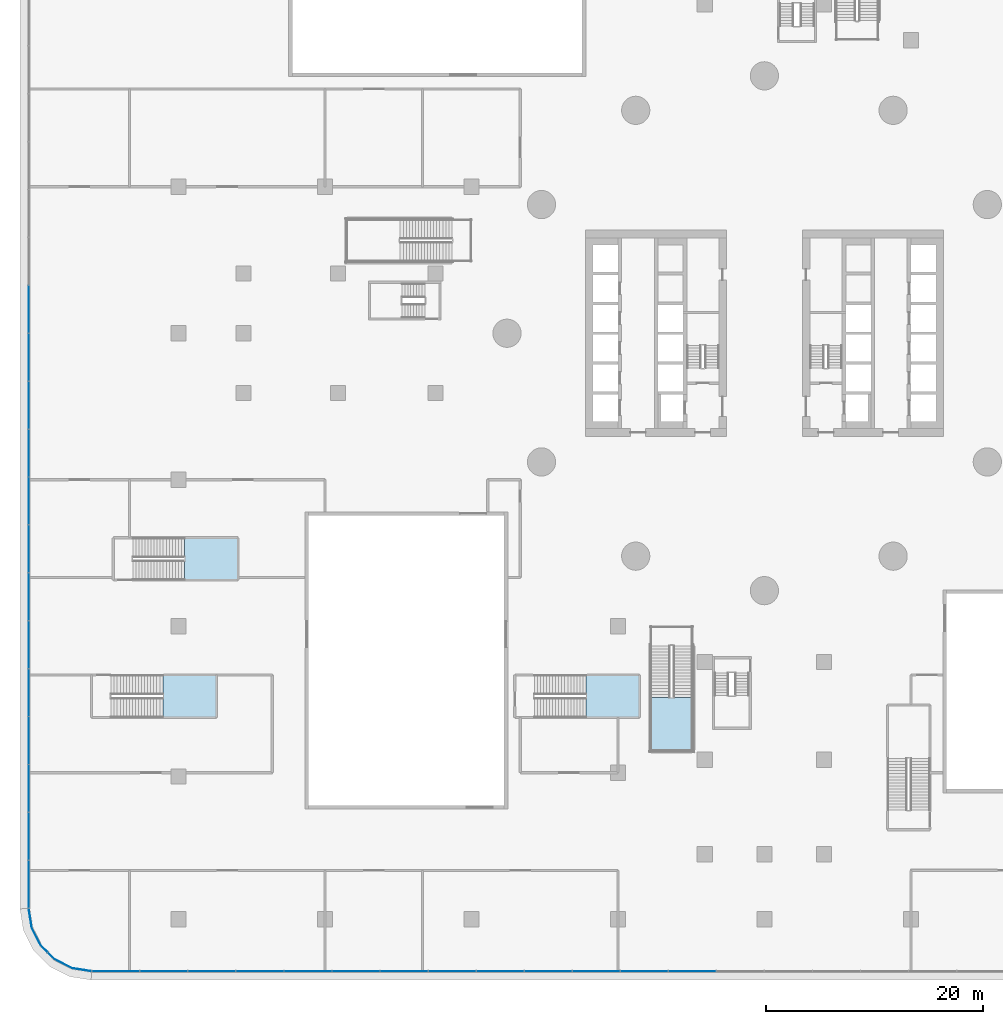
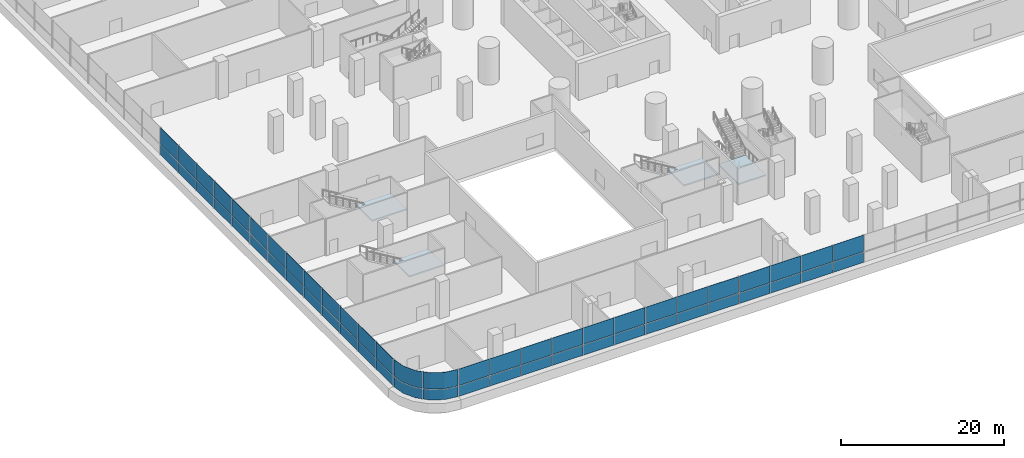
# One storey, part 23 of 52: 56 plates, 4 slabs, 7 elements without a shape of their own.
"""IFC4 building model written with IfcOpenShell, lengths in metres."""

from ifc_helpers import new_model, si_unit, direction, frame, origin, place, context, subcontext, project, spatial, polyline, outline, extrude, material, layer, layer_set, type_object, element, aggregate, save


model = new_model("IFC4")

# Units and contexts
model_context = context("Model", 3, precision=1e-05, world=origin(), true_north=direction((0.0, 1.0)))
body_context = subcontext(model_context, "Body", "Model", "MODEL_VIEW")
ifc_project = project(units=[si_unit("LENGTHUNIT", "METRE"), si_unit("AREAUNIT", "SQUARE_METRE"), si_unit("VOLUMEUNIT", "CUBIC_METRE"), si_unit("PLANEANGLEUNIT", "RADIAN"), si_unit("MASSUNIT", "GRAM", prefix="KILO")], contexts=[model_context])

# Site, building, storey
site_placement = place(None, origin())
site = spatial("IfcSite", under=ifc_project, at=site_placement, CompositionType="ELEMENT")
building_placement = place(site_placement, origin())
building = spatial("IfcBuilding", under=site, at=building_placement, Name="Tamarind Cross Interchange Tower", CompositionType="ELEMENT")
storey_placement = place(building_placement, frame((0.0, 0.0, 9.0)))
storey = spatial("IfcBuildingStorey", under=building, at=storey_placement, Name="L01", CompositionType="ELEMENT", Elevation=9.0)

# Stair, slab
ifc_material_1 = material(Name="Public stair")
stair_type = type_object("IfcStairType", Name="Public stair", PredefinedType="HALF_TURN_STAIR", material=ifc_material_1)
stair_1_placement = place(storey_placement, origin())
stair_1 = element("IfcStair", 1, at=stair_1_placement, inside=storey, type_object=stair_type, Name="L01 public stair PS-S", PredefinedType="HALF_TURN_STAIR")
ifc_material_2 = material(Name="Concrete C40", Category="concrete")
ifc_layer_1 = layer(ifc_material_2, 0.199951171875)
ifc_layer_set_1 = layer_set([ifc_layer_1], Name="Concrete C40")
slab_type = type_object("IfcSlabType", Name="Public stair landing", PredefinedType="LANDING", material=ifc_layer_set_1)
slab_1_placement = place(storey_placement, frame((0.0, 0.0, 2.800048828125)))
slab_1 = element("IfcSlab", 2, at=slab_1_placement, type_object=slab_type, Name="PS-S landing 1", PredefinedType="LANDING", context=body_context, shape_type="SweptSolid", body=[
    extrude(outline(polyline([(-10.5, -33.56005859375), (-10.5, -38.5), (-6.60009765625, -38.5), (-6.60009765625, -33.56005859375), (-10.5, -33.56005859375)])), origin(), (0.0, 0.0, 1.0), 0.199951171875),
])
aggregate(stair_1, [slab_1])

stair_2_placement = place(storey_placement, origin())
stair_2 = element("IfcStair", 3, at=stair_2_placement, inside=storey, type_object=stair_type, Name="L01 exit stair XS-P07", PredefinedType="HALF_TURN_STAIR")
slab_2_placement = place(storey_placement, frame((0.0, 0.0, 2.800048828125)))
slab_2 = element("IfcSlab", 4, at=slab_2_placement, type_object=slab_type, Name="XS-P07 landing 1", PredefinedType="LANDING", context=body_context, shape_type="SweptSolid", body=[
    extrude(outline(polyline([(-55.43994140625, -35.39990234375), (-50.5, -35.39990234375), (-50.5, -31.5), (-55.43994140625, -31.5), (-55.43994140625, -35.39990234375)])), origin(), (0.0, 0.0, 1.0), 0.199951171875),
])
aggregate(stair_2, [slab_2])

stair_3_placement = place(storey_placement, origin())
stair_3 = element("IfcStair", 5, at=stair_3_placement, inside=storey, type_object=stair_type, Name="L01 exit stair XS-P08", PredefinedType="HALF_TURN_STAIR")
slab_3_placement = place(storey_placement, frame((0.0, 0.0, 2.800048828125)))
slab_3 = element("IfcSlab", 6, at=slab_3_placement, type_object=slab_type, Name="XS-P08 landing 1", PredefinedType="LANDING", context=body_context, shape_type="SweptSolid", body=[
    extrude(outline(polyline([(-53.43994140625, -22.75), (-48.5, -22.75), (-48.5, -18.85009765625), (-53.43994140625, -18.85009765625), (-53.43994140625, -22.75)])), origin(), (0.0, 0.0, 1.0), 0.199951171875),
])
aggregate(stair_3, [slab_3])

stair_4_placement = place(storey_placement, origin())
stair_4 = element("IfcStair", 7, at=stair_4_placement, inside=storey, type_object=stair_type, Name="L01 exit stair XS-P09", PredefinedType="HALF_TURN_STAIR")
slab_4_placement = place(storey_placement, frame((0.0, 0.0, 2.800048828125)))
slab_4 = element("IfcSlab", 8, at=slab_4_placement, type_object=slab_type, Name="XS-P09 landing 1", PredefinedType="LANDING", context=body_context, shape_type="SweptSolid", body=[
    extrude(outline(polyline([(-16.43994140625, -35.39990234375), (-11.5, -35.39990234375), (-11.5, -31.5), (-16.43994140625, -31.5), (-16.43994140625, -35.39990234375)])), origin(), (0.0, 0.0, 1.0), 0.199951171875),
])
aggregate(stair_4, [slab_4])

# Curtain wall, plates
ifc_material_3 = material(Name="Aluminium 6063-T6", Category="aluminium")
ifc_layer_2 = layer(ifc_material_3, 0.199951171875)
ifc_layer_set_2 = layer_set([ifc_layer_2], Name="Aluminium 6063-T6")
curtain_wall_type = type_object("IfcCurtainWallType", Name="Podium shopfront and station curtain wall", PredefinedType="NOTDEFINED", material=ifc_layer_set_2)
curtain_wall_1_placement = place(storey_placement, origin())
curtain_wall_1 = element("IfcCurtainWall", 9, at=curtain_wall_1_placement, inside=storey, type_object=curtain_wall_type, Name="CWS-L01-04", PredefinedType="NOTDEFINED")
ifc_material_4 = material(Name="Toughened low-e glass 10+12+10", Category="glass")
ifc_layer_3 = layer(ifc_material_4, 0.031982421875)
ifc_layer_set_3 = layer_set([ifc_layer_3], Name="Toughened low-e glass 10+12+10")
plate_type = type_object("IfcPlateType", Name="Vision panel CW3", PredefinedType="CURTAIN_PANEL", material=ifc_layer_set_3)
plate_1_placement = place(storey_placement, frame((0.0, 0.0, 1.39990234375)))
plate_1 = element("IfcPlate", 10, at=plate_1_placement, type_object=plate_type, Name="CWP-L01-04-11-0", PredefinedType="CURTAIN_PANEL", context=body_context, shape_type="SweptSolid", body=[
    extrude(outline(polyline([(-67.783935546875, 4.375244140625), (-67.783935546875, 0.0400390625), (-67.81591796875, 0.0400390625), (-67.81591796875, 4.375244140625), (-67.783935546875, 4.375244140625)])), origin(), (0.0, 0.0, 1.0), 1.570068359375),
])
plate_2_placement = place(storey_placement, frame((0.0, 0.0, 3.030029296875)))
plate_2 = element("IfcPlate", 11, at=plate_2_placement, type_object=plate_type, Name="CWP-L01-04-11-1", PredefinedType="CURTAIN_PANEL", context=body_context, shape_type="SweptSolid", body=[
    extrude(outline(polyline([(-67.783935546875, 4.375244140625), (-67.783935546875, 0.0400390625), (-67.81591796875, 0.0400390625), (-67.81591796875, 4.375244140625), (-67.783935546875, 4.375244140625)])), origin(), (0.0, 0.0, 1.0), 2.469970703125),
])
plate_3_placement = place(storey_placement, frame((0.0, 0.0, 1.39990234375)))
plate_3 = element("IfcPlate", 12, at=plate_3_placement, type_object=plate_type, Name="CWP-L01-04-12-0", PredefinedType="CURTAIN_PANEL", context=body_context, shape_type="SweptSolid", body=[
    extrude(outline(polyline([(-67.783935546875, -0.0400390625), (-67.783935546875, -4.375244140625), (-67.81591796875, -4.375244140625), (-67.81591796875, -0.0400390625), (-67.783935546875, -0.0400390625)])), origin(), (0.0, 0.0, 1.0), 1.570068359375),
])
plate_4_placement = place(storey_placement, frame((0.0, 0.0, 3.030029296875)))
plate_4 = element("IfcPlate", 13, at=plate_4_placement, type_object=plate_type, Name="CWP-L01-04-12-1", PredefinedType="CURTAIN_PANEL", context=body_context, shape_type="SweptSolid", body=[
    extrude(outline(polyline([(-67.783935546875, -0.0400390625), (-67.783935546875, -4.375244140625), (-67.81591796875, -4.375244140625), (-67.81591796875, -0.0400390625), (-67.783935546875, -0.0400390625)])), origin(), (0.0, 0.0, 1.0), 2.469970703125),
])
plate_5_placement = place(storey_placement, frame((0.0, 0.0, 1.39990234375)))
plate_5 = element("IfcPlate", 14, at=plate_5_placement, type_object=plate_type, Name="CWP-L01-04-13-0", PredefinedType="CURTAIN_PANEL", context=body_context, shape_type="SweptSolid", body=[
    extrude(outline(polyline([(-67.783935546875, -4.455322265625), (-67.783935546875, -8.790771484375), (-67.81591796875, -8.790771484375), (-67.81591796875, -4.455322265625), (-67.783935546875, -4.455322265625)])), origin(), (0.0, 0.0, 1.0), 1.570068359375),
])
plate_6_placement = place(storey_placement, frame((0.0, 0.0, 3.030029296875)))
plate_6 = element("IfcPlate", 15, at=plate_6_placement, type_object=plate_type, Name="CWP-L01-04-13-1", PredefinedType="CURTAIN_PANEL", context=body_context, shape_type="SweptSolid", body=[
    extrude(outline(polyline([(-67.783935546875, -4.455322265625), (-67.783935546875, -8.790771484375), (-67.81591796875, -8.790771484375), (-67.81591796875, -4.455322265625), (-67.783935546875, -4.455322265625)])), origin(), (0.0, 0.0, 1.0), 2.469970703125),
])
plate_7_placement = place(storey_placement, frame((0.0, 0.0, 1.39990234375)))
plate_7 = element("IfcPlate", 16, at=plate_7_placement, type_object=plate_type, Name="CWP-L01-04-14-0", PredefinedType="CURTAIN_PANEL", context=body_context, shape_type="SweptSolid", body=[
    extrude(outline(polyline([(-67.783935546875, -8.87060546875), (-67.783935546875, -13.2060546875), (-67.81591796875, -13.2060546875), (-67.81591796875, -8.87060546875), (-67.783935546875, -8.87060546875)])), origin(), (0.0, 0.0, 1.0), 1.570068359375),
])
plate_8_placement = place(storey_placement, frame((0.0, 0.0, 3.030029296875)))
plate_8 = element("IfcPlate", 17, at=plate_8_placement, type_object=plate_type, Name="CWP-L01-04-14-1", PredefinedType="CURTAIN_PANEL", context=body_context, shape_type="SweptSolid", body=[
    extrude(outline(polyline([(-67.783935546875, -8.87060546875), (-67.783935546875, -13.2060546875), (-67.81591796875, -13.2060546875), (-67.81591796875, -8.87060546875), (-67.783935546875, -8.87060546875)])), origin(), (0.0, 0.0, 1.0), 2.469970703125),
])
plate_9_placement = place(storey_placement, frame((0.0, 0.0, 1.39990234375)))
plate_9 = element("IfcPlate", 18, at=plate_9_placement, type_object=plate_type, Name="CWP-L01-04-15-0", PredefinedType="CURTAIN_PANEL", context=body_context, shape_type="SweptSolid", body=[
    extrude(outline(polyline([(-67.783935546875, -13.2861328125), (-67.783935546875, -17.621337890625), (-67.81591796875, -17.621337890625), (-67.81591796875, -13.2861328125), (-67.783935546875, -13.2861328125)])), origin(), (0.0, 0.0, 1.0), 1.570068359375),
])
plate_10_placement = place(storey_placement, frame((0.0, 0.0, 3.030029296875)))
plate_10 = element("IfcPlate", 19, at=plate_10_placement, type_object=plate_type, Name="CWP-L01-04-15-1", PredefinedType="CURTAIN_PANEL", context=body_context, shape_type="SweptSolid", body=[
    extrude(outline(polyline([(-67.783935546875, -13.2861328125), (-67.783935546875, -17.621337890625), (-67.81591796875, -17.621337890625), (-67.81591796875, -13.2861328125), (-67.783935546875, -13.2861328125)])), origin(), (0.0, 0.0, 1.0), 2.469970703125),
])
plate_11_placement = place(storey_placement, frame((0.0, 0.0, 1.39990234375)))
plate_11 = element("IfcPlate", 20, at=plate_11_placement, type_object=plate_type, Name="CWP-L01-04-16-0", PredefinedType="CURTAIN_PANEL", context=body_context, shape_type="SweptSolid", body=[
    extrude(outline(polyline([(-67.783935546875, -17.701416015625), (-67.783935546875, -22.036865234375), (-67.81591796875, -22.036865234375), (-67.81591796875, -17.701416015625), (-67.783935546875, -17.701416015625)])), origin(), (0.0, 0.0, 1.0), 1.570068359375),
])
plate_12_placement = place(storey_placement, frame((0.0, 0.0, 3.030029296875)))
plate_12 = element("IfcPlate", 21, at=plate_12_placement, type_object=plate_type, Name="CWP-L01-04-16-1", PredefinedType="CURTAIN_PANEL", context=body_context, shape_type="SweptSolid", body=[
    extrude(outline(polyline([(-67.783935546875, -17.701416015625), (-67.783935546875, -22.036865234375), (-67.81591796875, -22.036865234375), (-67.81591796875, -17.701416015625), (-67.783935546875, -17.701416015625)])), origin(), (0.0, 0.0, 1.0), 2.469970703125),
])
plate_13_placement = place(storey_placement, frame((0.0, 0.0, 1.39990234375)))
plate_13 = element("IfcPlate", 22, at=plate_13_placement, type_object=plate_type, Name="CWP-L01-04-17-0", PredefinedType="CURTAIN_PANEL", context=body_context, shape_type="SweptSolid", body=[
    extrude(outline(polyline([(-67.783935546875, -22.11669921875), (-67.783935546875, -26.4521484375), (-67.81591796875, -26.4521484375), (-67.81591796875, -22.11669921875), (-67.783935546875, -22.11669921875)])), origin(), (0.0, 0.0, 1.0), 1.570068359375),
])
plate_14_placement = place(storey_placement, frame((0.0, 0.0, 3.030029296875)))
plate_14 = element("IfcPlate", 23, at=plate_14_placement, type_object=plate_type, Name="CWP-L01-04-17-1", PredefinedType="CURTAIN_PANEL", context=body_context, shape_type="SweptSolid", body=[
    extrude(outline(polyline([(-67.783935546875, -22.11669921875), (-67.783935546875, -26.4521484375), (-67.81591796875, -26.4521484375), (-67.81591796875, -22.11669921875), (-67.783935546875, -22.11669921875)])), origin(), (0.0, 0.0, 1.0), 2.469970703125),
])
plate_15_placement = place(storey_placement, frame((0.0, 0.0, 1.39990234375)))
plate_15 = element("IfcPlate", 24, at=plate_15_placement, type_object=plate_type, Name="CWP-L01-04-18-0", PredefinedType="CURTAIN_PANEL", context=body_context, shape_type="SweptSolid", body=[
    extrude(outline(polyline([(-67.783935546875, -26.5322265625), (-67.783935546875, -30.867431640625), (-67.81591796875, -30.867431640625), (-67.81591796875, -26.5322265625), (-67.783935546875, -26.5322265625)])), origin(), (0.0, 0.0, 1.0), 1.570068359375),
])
plate_16_placement = place(storey_placement, frame((0.0, 0.0, 3.030029296875)))
plate_16 = element("IfcPlate", 25, at=plate_16_placement, type_object=plate_type, Name="CWP-L01-04-18-1", PredefinedType="CURTAIN_PANEL", context=body_context, shape_type="SweptSolid", body=[
    extrude(outline(polyline([(-67.783935546875, -26.5322265625), (-67.783935546875, -30.867431640625), (-67.81591796875, -30.867431640625), (-67.81591796875, -26.5322265625), (-67.783935546875, -26.5322265625)])), origin(), (0.0, 0.0, 1.0), 2.469970703125),
])
plate_17_placement = place(storey_placement, frame((0.0, 0.0, 1.39990234375)))
plate_17 = element("IfcPlate", 26, at=plate_17_placement, type_object=plate_type, Name="CWP-L01-04-19-0", PredefinedType="CURTAIN_PANEL", context=body_context, shape_type="SweptSolid", body=[
    extrude(outline(polyline([(-67.783935546875, -30.947509765625), (-67.783935546875, -35.282958984375), (-67.81591796875, -35.282958984375), (-67.81591796875, -30.947509765625), (-67.783935546875, -30.947509765625)])), origin(), (0.0, 0.0, 1.0), 1.570068359375),
])
plate_18_placement = place(storey_placement, frame((0.0, 0.0, 3.030029296875)))
plate_18 = element("IfcPlate", 27, at=plate_18_placement, type_object=plate_type, Name="CWP-L01-04-19-1", PredefinedType="CURTAIN_PANEL", context=body_context, shape_type="SweptSolid", body=[
    extrude(outline(polyline([(-67.783935546875, -30.947509765625), (-67.783935546875, -35.282958984375), (-67.81591796875, -35.282958984375), (-67.81591796875, -30.947509765625), (-67.783935546875, -30.947509765625)])), origin(), (0.0, 0.0, 1.0), 2.469970703125),
])
plate_19_placement = place(storey_placement, frame((0.0, 0.0, 1.39990234375)))
plate_19 = element("IfcPlate", 28, at=plate_19_placement, type_object=plate_type, Name="CWP-L01-04-20-0", PredefinedType="CURTAIN_PANEL", context=body_context, shape_type="SweptSolid", body=[
    extrude(outline(polyline([(-67.783935546875, -35.36279296875), (-67.783935546875, -39.6982421875), (-67.81591796875, -39.6982421875), (-67.81591796875, -35.36279296875), (-67.783935546875, -35.36279296875)])), origin(), (0.0, 0.0, 1.0), 1.570068359375),
])
plate_20_placement = place(storey_placement, frame((0.0, 0.0, 3.030029296875)))
plate_20 = element("IfcPlate", 29, at=plate_20_placement, type_object=plate_type, Name="CWP-L01-04-20-1", PredefinedType="CURTAIN_PANEL", context=body_context, shape_type="SweptSolid", body=[
    extrude(outline(polyline([(-67.783935546875, -35.36279296875), (-67.783935546875, -39.6982421875), (-67.81591796875, -39.6982421875), (-67.81591796875, -35.36279296875), (-67.783935546875, -35.36279296875)])), origin(), (0.0, 0.0, 1.0), 2.469970703125),
])
plate_21_placement = place(storey_placement, frame((0.0, 0.0, 1.39990234375)))
plate_21 = element("IfcPlate", 30, at=plate_21_placement, type_object=plate_type, Name="CWP-L01-04-21-0", PredefinedType="CURTAIN_PANEL", context=body_context, shape_type="SweptSolid", body=[
    extrude(outline(polyline([(-67.783935546875, -39.778076171875), (-67.783935546875, -44.113525390625), (-67.81591796875, -44.113525390625), (-67.81591796875, -39.778076171875), (-67.783935546875, -39.778076171875)])), origin(), (0.0, 0.0, 1.0), 1.570068359375),
])
plate_22_placement = place(storey_placement, frame((0.0, 0.0, 3.030029296875)))
plate_22 = element("IfcPlate", 31, at=plate_22_placement, type_object=plate_type, Name="CWP-L01-04-21-1", PredefinedType="CURTAIN_PANEL", context=body_context, shape_type="SweptSolid", body=[
    extrude(outline(polyline([(-67.783935546875, -39.778076171875), (-67.783935546875, -44.113525390625), (-67.81591796875, -44.113525390625), (-67.81591796875, -39.778076171875), (-67.783935546875, -39.778076171875)])), origin(), (0.0, 0.0, 1.0), 2.469970703125),
])
plate_23_placement = place(storey_placement, frame((0.0, 0.0, 1.39990234375)))
plate_23 = element("IfcPlate", 32, at=plate_23_placement, type_object=plate_type, Name="CWP-L01-04-22-0", PredefinedType="CURTAIN_PANEL", context=body_context, shape_type="SweptSolid", body=[
    extrude(outline(polyline([(-67.783935546875, -44.193603515625), (-67.783935546875, -48.52880859375), (-67.81591796875, -48.52880859375), (-67.81591796875, -44.193603515625), (-67.783935546875, -44.193603515625)])), origin(), (0.0, 0.0, 1.0), 1.570068359375),
])
plate_24_placement = place(storey_placement, frame((0.0, 0.0, 3.030029296875)))
plate_24 = element("IfcPlate", 33, at=plate_24_placement, type_object=plate_type, Name="CWP-L01-04-22-1", PredefinedType="CURTAIN_PANEL", context=body_context, shape_type="SweptSolid", body=[
    extrude(outline(polyline([(-67.783935546875, -44.193603515625), (-67.783935546875, -48.52880859375), (-67.81591796875, -48.52880859375), (-67.81591796875, -44.193603515625), (-67.783935546875, -44.193603515625)])), origin(), (0.0, 0.0, 1.0), 2.469970703125),
])
plate_25_placement = place(storey_placement, frame((0.0, 0.0, 1.39990234375)))
plate_25 = element("IfcPlate", 34, at=plate_25_placement, type_object=plate_type, Name="CWP-L01-04-23-0", PredefinedType="CURTAIN_PANEL", context=body_context, shape_type="SweptSolid", body=[
    extrude(outline(polyline([(-67.783935546875, -48.60888671875), (-67.783935546875, -52.9443359375), (-67.81591796875, -52.9443359375), (-67.81591796875, -48.60888671875), (-67.783935546875, -48.60888671875)])), origin(), (0.0, 0.0, 1.0), 1.570068359375),
])
plate_26_placement = place(storey_placement, frame((0.0, 0.0, 3.030029296875)))
plate_26 = element("IfcPlate", 35, at=plate_26_placement, type_object=plate_type, Name="CWP-L01-04-23-1", PredefinedType="CURTAIN_PANEL", context=body_context, shape_type="SweptSolid", body=[
    extrude(outline(polyline([(-67.783935546875, -48.60888671875), (-67.783935546875, -52.9443359375), (-67.81591796875, -52.9443359375), (-67.81591796875, -48.60888671875), (-67.783935546875, -48.60888671875)])), origin(), (0.0, 0.0, 1.0), 2.469970703125),
])
aggregate(curtain_wall_1, [plate_1, plate_2, plate_3, plate_4, plate_5, plate_6, plate_7, plate_8, plate_9, plate_10, plate_11, plate_12, plate_13, plate_14, plate_15, plate_16, plate_17, plate_18, plate_19, plate_20, plate_21, plate_22, plate_23, plate_24, plate_25, plate_26])

curtain_wall_2_placement = place(storey_placement, origin())
curtain_wall_2 = element("IfcCurtainWall", 36, at=curtain_wall_2_placement, inside=storey, type_object=curtain_wall_type, Name="CWS-L01-05", PredefinedType="NOTDEFINED")
plate_27_placement = place(storey_placement, frame((0.0, 0.0, 1.39990234375)))
plate_27 = element("IfcPlate", 37, at=plate_27_placement, type_object=plate_type, Name="CWP-L01-05-00-0", PredefinedType="CURTAIN_PANEL", context=body_context, shape_type="SweptSolid", body=[
    extrude(outline(polyline([(-67.77783203125, -53.021240234375), (-67.498291015625, -54.78662109375), (-66.67724609375, -56.398193359375), (-66.06591796875, -57.00927734375), (-66.088623046875, -57.031982421875), (-66.703369140625, -56.417236328125), (-67.529052734375, -54.796630859375), (-67.8095703125, -53.0263671875), (-67.77783203125, -53.021240234375)])), origin(), (0.0, 0.0, 1.0), 1.570068359375),
])
plate_28_placement = place(storey_placement, frame((0.0, 0.0, 3.030029296875)))
plate_28 = element("IfcPlate", 38, at=plate_28_placement, type_object=plate_type, Name="CWP-L01-05-00-1", PredefinedType="CURTAIN_PANEL", context=body_context, shape_type="SweptSolid", body=[
    extrude(outline(polyline([(-67.77783203125, -53.021240234375), (-67.498291015625, -54.78662109375), (-66.67724609375, -56.398193359375), (-66.06591796875, -57.00927734375), (-66.088623046875, -57.031982421875), (-66.703369140625, -56.417236328125), (-67.529052734375, -54.796630859375), (-67.8095703125, -53.0263671875), (-67.77783203125, -53.021240234375)])), origin(), (0.0, 0.0, 1.0), 2.469970703125),
])
plate_29_placement = place(storey_placement, frame((0.0, 0.0, 1.39990234375)))
plate_29 = element("IfcPlate", 39, at=plate_29_placement, type_object=plate_type, Name="CWP-L01-05-01-0", PredefinedType="CURTAIN_PANEL", context=body_context, shape_type="SweptSolid", body=[
    extrude(outline(polyline([(-66.00927734375, -57.06591796875), (-65.398193359375, -57.67724609375), (-63.78662109375, -58.498291015625), (-62.021240234375, -58.77783203125), (-62.0263671875, -58.8095703125), (-63.796630859375, -58.529052734375), (-65.417236328125, -57.703369140625), (-66.031982421875, -57.088623046875), (-66.00927734375, -57.06591796875)])), origin(), (0.0, 0.0, 1.0), 1.570068359375),
])
plate_30_placement = place(storey_placement, frame((0.0, 0.0, 3.030029296875)))
plate_30 = element("IfcPlate", 40, at=plate_30_placement, type_object=plate_type, Name="CWP-L01-05-01-1", PredefinedType="CURTAIN_PANEL", context=body_context, shape_type="SweptSolid", body=[
    extrude(outline(polyline([(-66.00927734375, -57.06591796875), (-65.398193359375, -57.67724609375), (-63.78662109375, -58.498291015625), (-62.021240234375, -58.77783203125), (-62.0263671875, -58.8095703125), (-63.796630859375, -58.529052734375), (-65.417236328125, -57.703369140625), (-66.031982421875, -57.088623046875), (-66.00927734375, -57.06591796875)])), origin(), (0.0, 0.0, 1.0), 2.469970703125),
])
aggregate(curtain_wall_2, [plate_27, plate_28, plate_29, plate_30])

curtain_wall_3_placement = place(storey_placement, origin())
curtain_wall_3 = element("IfcCurtainWall", 41, at=curtain_wall_3_placement, inside=storey, type_object=curtain_wall_type, Name="CWS-L01-06", PredefinedType="NOTDEFINED")
plate_31_placement = place(storey_placement, frame((0.0, 0.0, 1.39990234375)))
plate_31 = element("IfcPlate", 42, at=plate_31_placement, type_object=plate_type, Name="CWP-L01-06-00-0", PredefinedType="CURTAIN_PANEL", context=body_context, shape_type="SweptSolid", body=[
    extrude(outline(polyline([(-61.9443359375, -58.783935546875), (-57.596923828125, -58.783935546875), (-57.596923828125, -58.81591796875), (-61.9443359375, -58.81591796875), (-61.9443359375, -58.783935546875)])), origin(), (0.0, 0.0, 1.0), 1.570068359375),
])
plate_32_placement = place(storey_placement, frame((0.0, 0.0, 3.030029296875)))
plate_32 = element("IfcPlate", 43, at=plate_32_placement, type_object=plate_type, Name="CWP-L01-06-00-1", PredefinedType="CURTAIN_PANEL", context=body_context, shape_type="SweptSolid", body=[
    extrude(outline(polyline([(-61.9443359375, -58.783935546875), (-57.596923828125, -58.783935546875), (-57.596923828125, -58.81591796875), (-61.9443359375, -58.81591796875), (-61.9443359375, -58.783935546875)])), origin(), (0.0, 0.0, 1.0), 2.469970703125),
])
plate_33_placement = place(storey_placement, frame((0.0, 0.0, 1.39990234375)))
plate_33 = element("IfcPlate", 44, at=plate_33_placement, type_object=plate_type, Name="CWP-L01-06-01-0", PredefinedType="CURTAIN_PANEL", context=body_context, shape_type="SweptSolid", body=[
    extrude(outline(polyline([(-57.516845703125, -58.783935546875), (-53.16943359375, -58.783935546875), (-53.16943359375, -58.81591796875), (-57.516845703125, -58.81591796875), (-57.516845703125, -58.783935546875)])), origin(), (0.0, 0.0, 1.0), 1.570068359375),
])
plate_34_placement = place(storey_placement, frame((0.0, 0.0, 3.030029296875)))
plate_34 = element("IfcPlate", 45, at=plate_34_placement, type_object=plate_type, Name="CWP-L01-06-01-1", PredefinedType="CURTAIN_PANEL", context=body_context, shape_type="SweptSolid", body=[
    extrude(outline(polyline([(-57.516845703125, -58.783935546875), (-53.16943359375, -58.783935546875), (-53.16943359375, -58.81591796875), (-57.516845703125, -58.81591796875), (-57.516845703125, -58.783935546875)])), origin(), (0.0, 0.0, 1.0), 2.469970703125),
])
plate_35_placement = place(storey_placement, frame((0.0, 0.0, 1.39990234375)))
plate_35 = element("IfcPlate", 46, at=plate_35_placement, type_object=plate_type, Name="CWP-L01-06-02-0", PredefinedType="CURTAIN_PANEL", context=body_context, shape_type="SweptSolid", body=[
    extrude(outline(polyline([(-53.08935546875, -58.783935546875), (-48.741943359375, -58.783935546875), (-48.741943359375, -58.81591796875), (-53.08935546875, -58.81591796875), (-53.08935546875, -58.783935546875)])), origin(), (0.0, 0.0, 1.0), 1.570068359375),
])
plate_36_placement = place(storey_placement, frame((0.0, 0.0, 3.030029296875)))
plate_36 = element("IfcPlate", 47, at=plate_36_placement, type_object=plate_type, Name="CWP-L01-06-02-1", PredefinedType="CURTAIN_PANEL", context=body_context, shape_type="SweptSolid", body=[
    extrude(outline(polyline([(-53.08935546875, -58.783935546875), (-48.741943359375, -58.783935546875), (-48.741943359375, -58.81591796875), (-53.08935546875, -58.81591796875), (-53.08935546875, -58.783935546875)])), origin(), (0.0, 0.0, 1.0), 2.469970703125),
])
plate_37_placement = place(storey_placement, frame((0.0, 0.0, 1.39990234375)))
plate_37 = element("IfcPlate", 48, at=plate_37_placement, type_object=plate_type, Name="CWP-L01-06-03-0", PredefinedType="CURTAIN_PANEL", context=body_context, shape_type="SweptSolid", body=[
    extrude(outline(polyline([(-48.661865234375, -58.783935546875), (-44.314453125, -58.783935546875), (-44.314453125, -58.81591796875), (-48.661865234375, -58.81591796875), (-48.661865234375, -58.783935546875)])), origin(), (0.0, 0.0, 1.0), 1.570068359375),
])
plate_38_placement = place(storey_placement, frame((0.0, 0.0, 3.030029296875)))
plate_38 = element("IfcPlate", 49, at=plate_38_placement, type_object=plate_type, Name="CWP-L01-06-03-1", PredefinedType="CURTAIN_PANEL", context=body_context, shape_type="SweptSolid", body=[
    extrude(outline(polyline([(-48.661865234375, -58.783935546875), (-44.314453125, -58.783935546875), (-44.314453125, -58.81591796875), (-48.661865234375, -58.81591796875), (-48.661865234375, -58.783935546875)])), origin(), (0.0, 0.0, 1.0), 2.469970703125),
])
plate_39_placement = place(storey_placement, frame((0.0, 0.0, 1.39990234375)))
plate_39 = element("IfcPlate", 50, at=plate_39_placement, type_object=plate_type, Name="CWP-L01-06-04-0", PredefinedType="CURTAIN_PANEL", context=body_context, shape_type="SweptSolid", body=[
    extrude(outline(polyline([(-44.234375, -58.783935546875), (-39.886962890625, -58.783935546875), (-39.886962890625, -58.81591796875), (-44.234375, -58.81591796875), (-44.234375, -58.783935546875)])), origin(), (0.0, 0.0, 1.0), 1.570068359375),
])
plate_40_placement = place(storey_placement, frame((0.0, 0.0, 3.030029296875)))
plate_40 = element("IfcPlate", 51, at=plate_40_placement, type_object=plate_type, Name="CWP-L01-06-04-1", PredefinedType="CURTAIN_PANEL", context=body_context, shape_type="SweptSolid", body=[
    extrude(outline(polyline([(-44.234375, -58.783935546875), (-39.886962890625, -58.783935546875), (-39.886962890625, -58.81591796875), (-44.234375, -58.81591796875), (-44.234375, -58.783935546875)])), origin(), (0.0, 0.0, 1.0), 2.469970703125),
])
plate_41_placement = place(storey_placement, frame((0.0, 0.0, 1.39990234375)))
plate_41 = element("IfcPlate", 52, at=plate_41_placement, type_object=plate_type, Name="CWP-L01-06-05-0", PredefinedType="CURTAIN_PANEL", context=body_context, shape_type="SweptSolid", body=[
    extrude(outline(polyline([(-39.80712890625, -58.783935546875), (-35.45947265625, -58.783935546875), (-35.45947265625, -58.81591796875), (-39.80712890625, -58.81591796875), (-39.80712890625, -58.783935546875)])), origin(), (0.0, 0.0, 1.0), 1.570068359375),
])
plate_42_placement = place(storey_placement, frame((0.0, 0.0, 3.030029296875)))
plate_42 = element("IfcPlate", 53, at=plate_42_placement, type_object=plate_type, Name="CWP-L01-06-05-1", PredefinedType="CURTAIN_PANEL", context=body_context, shape_type="SweptSolid", body=[
    extrude(outline(polyline([(-39.80712890625, -58.783935546875), (-35.45947265625, -58.783935546875), (-35.45947265625, -58.81591796875), (-39.80712890625, -58.81591796875), (-39.80712890625, -58.783935546875)])), origin(), (0.0, 0.0, 1.0), 2.469970703125),
])
plate_43_placement = place(storey_placement, frame((0.0, 0.0, 1.39990234375)))
plate_43 = element("IfcPlate", 54, at=plate_43_placement, type_object=plate_type, Name="CWP-L01-06-06-0", PredefinedType="CURTAIN_PANEL", context=body_context, shape_type="SweptSolid", body=[
    extrude(outline(polyline([(-35.379638671875, -58.783935546875), (-31.0322265625, -58.783935546875), (-31.0322265625, -58.81591796875), (-35.379638671875, -58.81591796875), (-35.379638671875, -58.783935546875)])), origin(), (0.0, 0.0, 1.0), 1.570068359375),
])
plate_44_placement = place(storey_placement, frame((0.0, 0.0, 3.030029296875)))
plate_44 = element("IfcPlate", 55, at=plate_44_placement, type_object=plate_type, Name="CWP-L01-06-06-1", PredefinedType="CURTAIN_PANEL", context=body_context, shape_type="SweptSolid", body=[
    extrude(outline(polyline([(-35.379638671875, -58.783935546875), (-31.0322265625, -58.783935546875), (-31.0322265625, -58.81591796875), (-35.379638671875, -58.81591796875), (-35.379638671875, -58.783935546875)])), origin(), (0.0, 0.0, 1.0), 2.469970703125),
])
plate_45_placement = place(storey_placement, frame((0.0, 0.0, 1.39990234375)))
plate_45 = element("IfcPlate", 56, at=plate_45_placement, type_object=plate_type, Name="CWP-L01-06-07-0", PredefinedType="CURTAIN_PANEL", context=body_context, shape_type="SweptSolid", body=[
    extrude(outline(polyline([(-30.9521484375, -58.783935546875), (-26.604736328125, -58.783935546875), (-26.604736328125, -58.81591796875), (-30.9521484375, -58.81591796875), (-30.9521484375, -58.783935546875)])), origin(), (0.0, 0.0, 1.0), 1.570068359375),
])
plate_46_placement = place(storey_placement, frame((0.0, 0.0, 3.030029296875)))
plate_46 = element("IfcPlate", 57, at=plate_46_placement, type_object=plate_type, Name="CWP-L01-06-07-1", PredefinedType="CURTAIN_PANEL", context=body_context, shape_type="SweptSolid", body=[
    extrude(outline(polyline([(-30.9521484375, -58.783935546875), (-26.604736328125, -58.783935546875), (-26.604736328125, -58.81591796875), (-30.9521484375, -58.81591796875), (-30.9521484375, -58.783935546875)])), origin(), (0.0, 0.0, 1.0), 2.469970703125),
])
plate_47_placement = place(storey_placement, frame((0.0, 0.0, 1.39990234375)))
plate_47 = element("IfcPlate", 58, at=plate_47_placement, type_object=plate_type, Name="CWP-L01-06-08-0", PredefinedType="CURTAIN_PANEL", context=body_context, shape_type="SweptSolid", body=[
    extrude(outline(polyline([(-26.524658203125, -58.783935546875), (-22.17724609375, -58.783935546875), (-22.17724609375, -58.81591796875), (-26.524658203125, -58.81591796875), (-26.524658203125, -58.783935546875)])), origin(), (0.0, 0.0, 1.0), 1.570068359375),
])
plate_48_placement = place(storey_placement, frame((0.0, 0.0, 3.030029296875)))
plate_48 = element("IfcPlate", 59, at=plate_48_placement, type_object=plate_type, Name="CWP-L01-06-08-1", PredefinedType="CURTAIN_PANEL", context=body_context, shape_type="SweptSolid", body=[
    extrude(outline(polyline([(-26.524658203125, -58.783935546875), (-22.17724609375, -58.783935546875), (-22.17724609375, -58.81591796875), (-26.524658203125, -58.81591796875), (-26.524658203125, -58.783935546875)])), origin(), (0.0, 0.0, 1.0), 2.469970703125),
])
plate_49_placement = place(storey_placement, frame((0.0, 0.0, 1.39990234375)))
plate_49 = element("IfcPlate", 60, at=plate_49_placement, type_object=plate_type, Name="CWP-L01-06-09-0", PredefinedType="CURTAIN_PANEL", context=body_context, shape_type="SweptSolid", body=[
    extrude(outline(polyline([(-22.09716796875, -58.783935546875), (-17.749755859375, -58.783935546875), (-17.749755859375, -58.81591796875), (-22.09716796875, -58.81591796875), (-22.09716796875, -58.783935546875)])), origin(), (0.0, 0.0, 1.0), 1.570068359375),
])
plate_50_placement = place(storey_placement, frame((0.0, 0.0, 3.030029296875)))
plate_50 = element("IfcPlate", 61, at=plate_50_placement, type_object=plate_type, Name="CWP-L01-06-09-1", PredefinedType="CURTAIN_PANEL", context=body_context, shape_type="SweptSolid", body=[
    extrude(outline(polyline([(-22.09716796875, -58.783935546875), (-17.749755859375, -58.783935546875), (-17.749755859375, -58.81591796875), (-22.09716796875, -58.81591796875), (-22.09716796875, -58.783935546875)])), origin(), (0.0, 0.0, 1.0), 2.469970703125),
])
plate_51_placement = place(storey_placement, frame((0.0, 0.0, 1.39990234375)))
plate_51 = element("IfcPlate", 62, at=plate_51_placement, type_object=plate_type, Name="CWP-L01-06-10-0", PredefinedType="CURTAIN_PANEL", context=body_context, shape_type="SweptSolid", body=[
    extrude(outline(polyline([(-17.669677734375, -58.783935546875), (-13.322265625, -58.783935546875), (-13.322265625, -58.81591796875), (-17.669677734375, -58.81591796875), (-17.669677734375, -58.783935546875)])), origin(), (0.0, 0.0, 1.0), 1.570068359375),
])
plate_52_placement = place(storey_placement, frame((0.0, 0.0, 3.030029296875)))
plate_52 = element("IfcPlate", 63, at=plate_52_placement, type_object=plate_type, Name="CWP-L01-06-10-1", PredefinedType="CURTAIN_PANEL", context=body_context, shape_type="SweptSolid", body=[
    extrude(outline(polyline([(-17.669677734375, -58.783935546875), (-13.322265625, -58.783935546875), (-13.322265625, -58.81591796875), (-17.669677734375, -58.81591796875), (-17.669677734375, -58.783935546875)])), origin(), (0.0, 0.0, 1.0), 2.469970703125),
])
plate_53_placement = place(storey_placement, frame((0.0, 0.0, 1.39990234375)))
plate_53 = element("IfcPlate", 64, at=plate_53_placement, type_object=plate_type, Name="CWP-L01-06-11-0", PredefinedType="CURTAIN_PANEL", context=body_context, shape_type="SweptSolid", body=[
    extrude(outline(polyline([(-13.242431640625, -58.783935546875), (-8.894775390625, -58.783935546875), (-8.894775390625, -58.81591796875), (-13.242431640625, -58.81591796875), (-13.242431640625, -58.783935546875)])), origin(), (0.0, 0.0, 1.0), 1.570068359375),
])
plate_54_placement = place(storey_placement, frame((0.0, 0.0, 3.030029296875)))
plate_54 = element("IfcPlate", 65, at=plate_54_placement, type_object=plate_type, Name="CWP-L01-06-11-1", PredefinedType="CURTAIN_PANEL", context=body_context, shape_type="SweptSolid", body=[
    extrude(outline(polyline([(-13.242431640625, -58.783935546875), (-8.894775390625, -58.783935546875), (-8.894775390625, -58.81591796875), (-13.242431640625, -58.81591796875), (-13.242431640625, -58.783935546875)])), origin(), (0.0, 0.0, 1.0), 2.469970703125),
])
plate_55_placement = place(storey_placement, frame((0.0, 0.0, 1.39990234375)))
plate_55 = element("IfcPlate", 66, at=plate_55_placement, type_object=plate_type, Name="CWP-L01-06-12-0", PredefinedType="CURTAIN_PANEL", context=body_context, shape_type="SweptSolid", body=[
    extrude(outline(polyline([(-8.81494140625, -58.783935546875), (-4.467529296875, -58.783935546875), (-4.467529296875, -58.81591796875), (-8.81494140625, -58.81591796875), (-8.81494140625, -58.783935546875)])), origin(), (0.0, 0.0, 1.0), 1.570068359375),
])
plate_56_placement = place(storey_placement, frame((0.0, 0.0, 3.030029296875)))
plate_56 = element("IfcPlate", 67, at=plate_56_placement, type_object=plate_type, Name="CWP-L01-06-12-1", PredefinedType="CURTAIN_PANEL", context=body_context, shape_type="SweptSolid", body=[
    extrude(outline(polyline([(-8.81494140625, -58.783935546875), (-4.467529296875, -58.783935546875), (-4.467529296875, -58.81591796875), (-8.81494140625, -58.81591796875), (-8.81494140625, -58.783935546875)])), origin(), (0.0, 0.0, 1.0), 2.469970703125),
])
aggregate(curtain_wall_3, [plate_31, plate_32, plate_33, plate_34, plate_35, plate_36, plate_37, plate_38, plate_39, plate_40, plate_41, plate_42, plate_43, plate_44, plate_45, plate_46, plate_47, plate_48, plate_49, plate_50, plate_51, plate_52, plate_53, plate_54, plate_55, plate_56])

save(model, "model.ifc")
